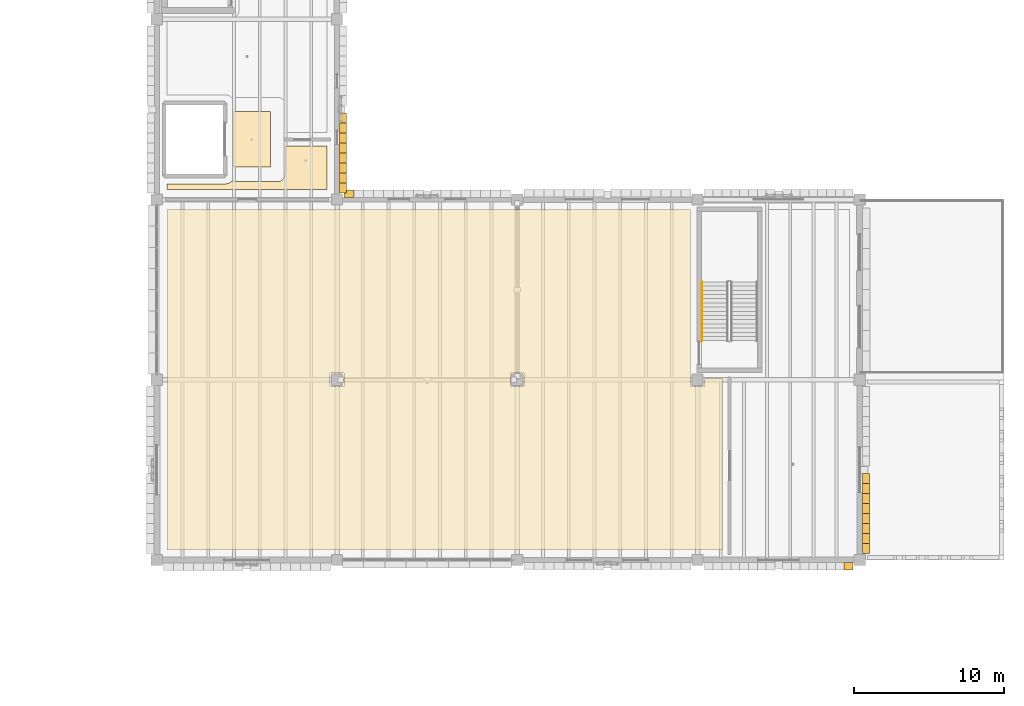
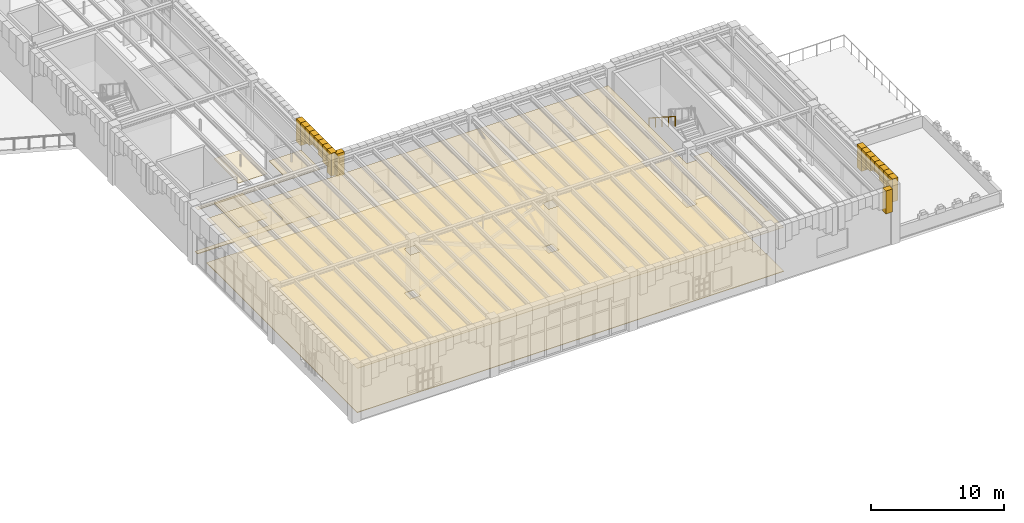
# One storey, part 93 of 103: 24 coverings, 1 railing.
"""IFC4 building model written with IfcOpenShell, lengths in metres."""

from ifc_helpers import new_model, si_unit, direction, frame, origin, origin_2d, place, context, subcontext, project, spatial, polyline, circle, outline, extrude, material, layer, layer_set, type_object, element, save


model = new_model("IFC4")

# Units and contexts
model_context = context("Model", 3, precision=1e-05, world=origin(), true_north=direction((0.0, 1.0)))
body_context = subcontext(model_context, "Body", "Model", "MODEL_VIEW")
ifc_project = project(units=[si_unit("LENGTHUNIT", "METRE"), si_unit("AREAUNIT", "SQUARE_METRE"), si_unit("VOLUMEUNIT", "CUBIC_METRE"), si_unit("PLANEANGLEUNIT", "RADIAN"), si_unit("MASSUNIT", "GRAM", prefix="KILO")], contexts=[model_context])

# Site, building, storey
site_placement = place(None, origin())
site = spatial("IfcSite", under=ifc_project, at=site_placement, CompositionType="ELEMENT")
building_placement = place(site_placement, origin())
building = spatial("IfcBuilding", under=site, at=building_placement, Name="Zlatogorsky Bluff Art Gallery", CompositionType="ELEMENT")
storey_placement = place(building_placement, origin())
storey = spatial("IfcBuildingStorey", under=building, at=storey_placement, Name="L00", CompositionType="ELEMENT", Elevation=0.0)

# Coverings
ifc_material_1 = material(Name="Perforated Gypsum Acoustic Board", Category="gypsum")
ifc_layer_1 = layer(ifc_material_1, 0.0400390625)
ifc_layer_set_1 = layer_set([ifc_layer_1], Name="Acoustic Gallery Ceiling CLG-01")
covering_type_1 = type_object("IfcCoveringType", Name="Acoustic Gallery Ceiling CLG-01", PredefinedType="CEILING", material=ifc_layer_set_1)
covering_1_placement = place(storey_placement, frame((0.0, 0.0, 4.050048828125)))
element("IfcCovering", 1, at=covering_1_placement, inside=storey, type_object=covering_type_1, Name="Lift Lobby GL-1 acoustic ceiling", PredefinedType="CEILING", context=body_context, shape_type="SweptSolid", body=[
    extrude(outline(polyline([(125.070068359375, 52.550048828125), (125.070068359375, 56.25), (127.570068359375, 56.25), (127.570068359375, 52.550048828125), (125.070068359375, 52.550048828125)])), origin(), (0.0, 0.0, 1.0), 0.0400390625),
])
covering_2_placement = place(storey_placement, frame((0.0, 0.0, 4.050048828125)))
element("IfcCovering", 2, at=covering_2_placement, inside=storey, type_object=covering_type_1, Name="East Cloister Circulation Corridor acoustic ceiling", PredefinedType="CEILING", context=body_context, shape_type="SweptSolid", body=[
    extrude(outline(polyline([(124.6201171875, 51.449951171875), (124.6640625, 51.4521484375), (124.707763671875, 51.45849609375), (124.75048828125, 51.469482421875), (124.792236328125, 51.484375), (124.83203125, 51.503173828125), (124.8701171875, 51.52587890625), (124.905517578125, 51.552001953125), (124.938232421875, 51.581787109375), (124.95458984375, 51.60009765625), (128.070068359375, 51.60009765625), (128.114013671875, 51.602294921875), (128.15771484375, 51.608642578125), (128.20068359375, 51.619384765625), (128.2421875, 51.63427734375), (128.281982421875, 51.653076171875), (128.320068359375, 51.67578125), (128.35546875, 51.7021484375), (128.38818359375, 51.731689453125), (128.41796875, 51.764404296875), (128.444091796875, 51.800048828125), (128.466796875, 51.837890625), (128.485595703125, 51.877685546875), (128.50048828125, 51.91943359375), (128.511474609375, 51.962158203125), (128.517822265625, 52.005859375), (128.52001953125, 52.050048828125), (128.52001953125, 53.949951171875), (131.330078125, 53.949951171875), (131.330078125, 51.070068359375), (120.669921875, 51.070068359375), (120.669921875, 51.449951171875), (124.6201171875, 51.449951171875)])), origin(), (0.0, 0.0, 1.0), 0.0400390625),
])
covering_3_placement = place(storey_placement, frame((0.0, 0.0, 4.050048828125)))
element("IfcCovering", 3, at=covering_3_placement, inside=storey, type_object=covering_type_1, Name="Conservation Studios and Restoration Labs acoustic ceiling", PredefinedType="CEILING", context=body_context, shape_type="SweptSolid", body=[
    extrude(outline(polyline([(155.5400390625, 38.948974609375), (155.542236328125, 38.90478515625), (155.548583984375, 38.860595703125), (155.548828125, 38.859619140625), (155.5498046875, 38.85498046875), (155.544921875, 38.85498046875), (155.544921875, 37.945068359375), (156.455078125, 37.945068359375), (156.455078125, 38.489990234375), (157.675048828125, 38.489990234375), (157.675048828125, 27.070068359375), (120.669921875, 27.070068359375), (120.669921875, 49.72998046875), (155.5400390625, 49.72998046875), (155.5400390625, 38.948974609375)]), holes=[polyline([(131.544921875, 38.85498046875), (131.544921875, 37.945068359375), (132.455078125, 37.945068359375), (132.455078125, 38.85498046875), (131.544921875, 38.85498046875)]), polyline([(143.544921875, 38.85498046875), (143.544921875, 37.945068359375), (144.455078125, 37.945068359375), (144.455078125, 38.85498046875), (143.544921875, 38.85498046875)])]), origin(), (0.0, 0.0, 1.0), 0.0400390625),
])
ifc_material_2 = material(Name="Honed Red Agra-Tone Quartzitic Sandstone", Category="masonry")
ifc_layer_2 = layer(ifc_material_2, 0.1201171875)
ifc_layer_set_2 = layer_set([ifc_layer_2], Name="Carved Sandstone Cladding CLD-02")
covering_type_2 = type_object("IfcCoveringType", Name="Carved Sandstone Cladding CLD-02", PredefinedType="CLADDING", material=ifc_layer_set_2)
covering_4_placement = place(storey_placement, frame((0.0, 0.0, 3.25244140625)))
element("IfcCovering", 4, at=covering_4_placement, inside=storey, type_object=covering_type_2, Name="Pointed Mughal arch voussoir spandrel WARCH-L00-E-10-05-A.1", PredefinedType="CLADDING", context=body_context, shape_type="SweptSolid", body=[
    extrude(outline(polyline([(132.14990234375, 50.85009765625), (132.14990234375, 51.512451171875), (132.639892578125, 51.512451171875), (132.639892578125, 50.85009765625), (132.14990234375, 50.85009765625)])), origin(), (0.0, 0.0, 1.0), 2.107666015625),
])
covering_5_placement = place(storey_placement, frame((0.0, 0.0, 3.78369140625)))
element("IfcCovering", 5, at=covering_5_placement, inside=storey, type_object=covering_type_2, Name="Pointed Mughal arch voussoir spandrel WARCH-L00-E-10-05-A.2", PredefinedType="CLADDING", context=body_context, shape_type="SweptSolid", body=[
    extrude(outline(polyline([(132.14990234375, 51.512451171875), (132.14990234375, 52.175048828125), (132.639892578125, 52.175048828125), (132.639892578125, 51.512451171875), (132.14990234375, 51.512451171875)])), origin(), (0.0, 0.0, 1.0), 1.576416015625),
])
covering_6_placement = place(storey_placement, frame((0.0, 0.0, 4.07666015625)))
element("IfcCovering", 6, at=covering_6_placement, inside=storey, type_object=covering_type_2, Name="Pointed Mughal arch voussoir spandrel WARCH-L00-E-10-05-A.3", PredefinedType="CLADDING", context=body_context, shape_type="SweptSolid", body=[
    extrude(outline(polyline([(132.14990234375, 52.175048828125), (132.14990234375, 52.83740234375), (132.639892578125, 52.83740234375), (132.639892578125, 52.175048828125), (132.14990234375, 52.175048828125)])), origin(), (0.0, 0.0, 1.0), 1.283447265625),
])
covering_7_placement = place(storey_placement, frame((0.0, 0.0, 4.4453125)))
element("IfcCovering", 7, at=covering_7_placement, inside=storey, type_object=covering_type_2, Name="Pointed Mughal arch voussoir spandrel WARCH-L00-E-10-05-A.4", PredefinedType="CLADDING", context=body_context, shape_type="SweptSolid", body=[
    extrude(outline(polyline([(132.14990234375, 52.83740234375), (132.14990234375, 53.5), (132.639892578125, 53.5), (132.639892578125, 52.83740234375), (132.14990234375, 52.83740234375)])), origin(), (0.0, 0.0, 1.0), 0.914794921875),
])
covering_8_placement = place(storey_placement, frame((0.0, 0.0, 4.4453125)))
element("IfcCovering", 8, at=covering_8_placement, inside=storey, type_object=covering_type_2, Name="Pointed Mughal arch voussoir spandrel WARCH-L00-E-10-05-A.5", PredefinedType="CLADDING", context=body_context, shape_type="SweptSolid", body=[
    extrude(outline(polyline([(132.14990234375, 53.5), (132.14990234375, 54.16259765625), (132.639892578125, 54.16259765625), (132.639892578125, 53.5), (132.14990234375, 53.5)])), origin(), (0.0, 0.0, 1.0), 0.914794921875),
])
covering_9_placement = place(storey_placement, frame((0.0, 0.0, 4.07666015625)))
element("IfcCovering", 9, at=covering_9_placement, inside=storey, type_object=covering_type_2, Name="Pointed Mughal arch voussoir spandrel WARCH-L00-E-10-05-A.6", PredefinedType="CLADDING", context=body_context, shape_type="SweptSolid", body=[
    extrude(outline(polyline([(132.14990234375, 54.16259765625), (132.14990234375, 54.824951171875), (132.639892578125, 54.824951171875), (132.639892578125, 54.16259765625), (132.14990234375, 54.16259765625)])), origin(), (0.0, 0.0, 1.0), 1.283447265625),
])
covering_10_placement = place(storey_placement, frame((0.0, 0.0, 3.78369140625)))
element("IfcCovering", 10, at=covering_10_placement, inside=storey, type_object=covering_type_2, Name="Pointed Mughal arch voussoir spandrel WARCH-L00-E-10-05-A.7", PredefinedType="CLADDING", context=body_context, shape_type="SweptSolid", body=[
    extrude(outline(polyline([(132.14990234375, 54.824951171875), (132.14990234375, 55.487548828125), (132.639892578125, 55.487548828125), (132.639892578125, 54.824951171875), (132.14990234375, 54.824951171875)])), origin(), (0.0, 0.0, 1.0), 1.576416015625),
])
covering_11_placement = place(storey_placement, frame((0.0, 0.0, 3.25244140625)))
element("IfcCovering", 11, at=covering_11_placement, inside=storey, type_object=covering_type_2, Name="Pointed Mughal arch voussoir spandrel WARCH-L00-E-10-05-A.8", PredefinedType="CLADDING", context=body_context, shape_type="SweptSolid", body=[
    extrude(outline(polyline([(132.14990234375, 55.487548828125), (132.14990234375, 56.14990234375), (132.639892578125, 56.14990234375), (132.639892578125, 55.487548828125), (132.14990234375, 55.487548828125)])), origin(), (0.0, 0.0, 1.0), 2.107666015625),
])
covering_12_placement = place(storey_placement, frame((0.0, 0.0, 3.25244140625)))
element("IfcCovering", 12, at=covering_12_placement, inside=storey, type_object=covering_type_2, Name="Pointed Mughal arch voussoir spandrel WARCH-L00-N-11-04-A.1", PredefinedType="CLADDING", context=body_context, shape_type="SweptSolid", body=[
    extrude(outline(polyline([(132.449951171875, 50.550048828125), (133.112548828125, 50.550048828125), (133.112548828125, 51.0400390625), (132.449951171875, 51.0400390625), (132.449951171875, 50.550048828125)])), origin(), (0.0, 0.0, 1.0), 2.107666015625),
])
covering_13_placement = place(storey_placement, frame((0.0, 0.0, 3.25244140625)))
element("IfcCovering", 13, at=covering_13_placement, inside=storey, type_object=covering_type_2, Name="Pointed Mughal arch voussoir spandrel WARCH-L00-S-13-03-B.8", PredefinedType="CLADDING", context=body_context, shape_type="SweptSolid", body=[
    extrude(outline(polyline([(165.762451171875, 25.739990234375), (166.35009765625, 25.739990234375), (166.35009765625, 26.22998046875), (165.762451171875, 26.22998046875), (165.762451171875, 25.739990234375)])), origin(), (0.0, 0.0, 1.0), 2.107666015625),
])
covering_14_placement = place(storey_placement, frame((0.0, 0.0, 3.25244140625)))
element("IfcCovering", 14, at=covering_14_placement, inside=storey, type_object=covering_type_2, Name="Pointed Mughal arch voussoir spandrel WARCH-L00-E-13-03-A.1", PredefinedType="CLADDING", context=body_context, shape_type="SweptSolid", body=[
    extrude(outline(polyline([(166.969970703125, 26.85009765625), (166.969970703125, 27.512451171875), (167.4599609375, 27.512451171875), (167.4599609375, 26.85009765625), (166.969970703125, 26.85009765625)])), origin(), (0.0, 0.0, 1.0), 2.107666015625),
])
covering_15_placement = place(storey_placement, frame((0.0, 0.0, 3.78369140625)))
element("IfcCovering", 15, at=covering_15_placement, inside=storey, type_object=covering_type_2, Name="Pointed Mughal arch voussoir spandrel WARCH-L00-E-13-03-A.2", PredefinedType="CLADDING", context=body_context, shape_type="SweptSolid", body=[
    extrude(outline(polyline([(166.969970703125, 27.512451171875), (166.969970703125, 28.175048828125), (167.4599609375, 28.175048828125), (167.4599609375, 27.512451171875), (166.969970703125, 27.512451171875)])), origin(), (0.0, 0.0, 1.0), 1.576416015625),
])
covering_16_placement = place(storey_placement, frame((0.0, 0.0, 4.07666015625)))
element("IfcCovering", 16, at=covering_16_placement, inside=storey, type_object=covering_type_2, Name="Pointed Mughal arch voussoir spandrel WARCH-L00-E-13-03-A.3", PredefinedType="CLADDING", context=body_context, shape_type="SweptSolid", body=[
    extrude(outline(polyline([(166.969970703125, 28.175048828125), (166.969970703125, 28.83740234375), (167.4599609375, 28.83740234375), (167.4599609375, 28.175048828125), (166.969970703125, 28.175048828125)])), origin(), (0.0, 0.0, 1.0), 1.283447265625),
])
covering_17_placement = place(storey_placement, frame((0.0, 0.0, 4.4453125)))
element("IfcCovering", 17, at=covering_17_placement, inside=storey, type_object=covering_type_2, Name="Pointed Mughal arch voussoir spandrel WARCH-L00-E-13-03-A.4", PredefinedType="CLADDING", context=body_context, shape_type="SweptSolid", body=[
    extrude(outline(polyline([(166.969970703125, 28.83740234375), (166.969970703125, 29.5), (167.4599609375, 29.5), (167.4599609375, 28.83740234375), (166.969970703125, 28.83740234375)])), origin(), (0.0, 0.0, 1.0), 0.914794921875),
])
covering_18_placement = place(storey_placement, frame((0.0, 0.0, 4.4453125)))
element("IfcCovering", 18, at=covering_18_placement, inside=storey, type_object=covering_type_2, Name="Pointed Mughal arch voussoir spandrel WARCH-L00-E-13-03-A.5", PredefinedType="CLADDING", context=body_context, shape_type="SweptSolid", body=[
    extrude(outline(polyline([(166.969970703125, 29.5), (166.969970703125, 30.16259765625), (167.4599609375, 30.16259765625), (167.4599609375, 29.5), (166.969970703125, 29.5)])), origin(), (0.0, 0.0, 1.0), 0.914794921875),
])
covering_19_placement = place(storey_placement, frame((0.0, 0.0, 4.07666015625)))
element("IfcCovering", 19, at=covering_19_placement, inside=storey, type_object=covering_type_2, Name="Pointed Mughal arch voussoir spandrel WARCH-L00-E-13-03-A.6", PredefinedType="CLADDING", context=body_context, shape_type="SweptSolid", body=[
    extrude(outline(polyline([(166.969970703125, 30.16259765625), (166.969970703125, 30.824951171875), (167.4599609375, 30.824951171875), (167.4599609375, 30.16259765625), (166.969970703125, 30.16259765625)])), origin(), (0.0, 0.0, 1.0), 1.283447265625),
])
covering_20_placement = place(storey_placement, frame((0.0, 0.0, 3.78369140625)))
element("IfcCovering", 20, at=covering_20_placement, inside=storey, type_object=covering_type_2, Name="Pointed Mughal arch voussoir spandrel WARCH-L00-E-13-03-A.7", PredefinedType="CLADDING", context=body_context, shape_type="SweptSolid", body=[
    extrude(outline(polyline([(166.969970703125, 30.824951171875), (166.969970703125, 31.487548828125), (167.4599609375, 31.487548828125), (167.4599609375, 30.824951171875), (166.969970703125, 30.824951171875)])), origin(), (0.0, 0.0, 1.0), 1.576416015625),
])
covering_21_placement = place(storey_placement, frame((0.0, 0.0, 3.25244140625)))
element("IfcCovering", 21, at=covering_21_placement, inside=storey, type_object=covering_type_2, Name="Pointed Mughal arch voussoir spandrel WARCH-L00-E-13-03-A.8", PredefinedType="CLADDING", context=body_context, shape_type="SweptSolid", body=[
    extrude(outline(polyline([(166.969970703125, 31.487548828125), (166.969970703125, 32.14990234375), (167.4599609375, 32.14990234375), (167.4599609375, 31.487548828125), (166.969970703125, 31.487548828125)])), origin(), (0.0, 0.0, 1.0), 2.107666015625),
])

# Railing
ifc_material_3 = material(Name="Brushed Stainless Steel", Category="steel")
railing_type = type_object("IfcRailingType", Name="Stair Pitch Handrail 900mm", PredefinedType="HANDRAIL", material=ifc_material_3)
railing_placement = place(storey_placement, frame((156.300048828125, 44.919921875, 2.8798828125)))
element("IfcRailing", 22, at=railing_placement, inside=storey, type_object=railing_type, Name="L00 ST-10 stair handrail 2", PredefinedType="HANDRAIL", context=body_context, shape_type="SweptSolid", body=[
    extrude(circle(Radius=0.02392578125, at=origin_2d()), frame((0.0, 0.0, 0.8759765625), z_axis=(0.0, -0.841171666519, 0.540768182723), x_axis=(1.0, 0.0, 0.0)), (0.0, 0.0, 1.0), 4.66015625),
    extrude(circle(Radius=0.02099609375, at=origin_2d()), origin(), (0.0, 0.0, 1.0), 0.851806640625),
    extrude(circle(Radius=0.02099609375, at=origin_2d()), frame((0.0, -0.97998046875, 0.6298828125)), (0.0, 0.0, 1.0), 0.851806640625),
    extrude(circle(Radius=0.02099609375, at=origin_2d()), frame((0.0, -1.9599609375, 1.260009765625)), (0.0, 0.0, 1.0), 0.851806640625),
    extrude(circle(Radius=0.02099609375, at=origin_2d()), frame((0.0, -2.93994140625, 1.89013671875)), (0.0, 0.0, 1.0), 0.851806640625),
    extrude(circle(Radius=0.02099609375, at=origin_2d()), frame((0.0, -3.919921875, 2.52001953125)), (0.0, 0.0, 1.0), 0.851806640625),
])

# Coverings
ifc_material_4 = material(Name="Polished Ural Marble Terrazzo", Category="masonry")
ifc_layer_3 = layer(ifc_material_4, 0.050048828125)
ifc_layer_set_3 = layer_set([ifc_layer_3], Name="Terrazzo Gallery Flooring FLR-01")
covering_type_3 = type_object("IfcCoveringType", Name="Terrazzo Gallery Flooring FLR-01", PredefinedType="FLOORING", material=ifc_layer_set_3)
covering_22_placement = place(storey_placement, origin())
element("IfcCovering", 23, at=covering_22_placement, inside=storey, type_object=covering_type_3, Name="Lift Lobby GL-1 terrazzo floor finish", PredefinedType="FLOORING", context=body_context, shape_type="SweptSolid", body=[
    extrude(outline(polyline([(125.070068359375, 52.550048828125), (125.070068359375, 56.25), (127.570068359375, 56.25), (127.570068359375, 52.550048828125), (125.070068359375, 52.550048828125)])), origin(), (0.0, 0.0, 1.0), 0.050048828125),
])
covering_23_placement = place(storey_placement, origin())
element("IfcCovering", 24, at=covering_23_placement, inside=storey, type_object=covering_type_3, Name="East Cloister Circulation Corridor terrazzo floor finish", PredefinedType="FLOORING", context=body_context, shape_type="SweptSolid", body=[
    extrude(outline(polyline([(124.6201171875, 51.449951171875), (124.6640625, 51.4521484375), (124.707763671875, 51.45849609375), (124.75048828125, 51.469482421875), (124.792236328125, 51.484375), (124.83203125, 51.503173828125), (124.8701171875, 51.52587890625), (124.905517578125, 51.552001953125), (124.938232421875, 51.581787109375), (124.95458984375, 51.60009765625), (128.070068359375, 51.60009765625), (128.114013671875, 51.602294921875), (128.15771484375, 51.608642578125), (128.20068359375, 51.619384765625), (128.2421875, 51.63427734375), (128.281982421875, 51.653076171875), (128.320068359375, 51.67578125), (128.35546875, 51.7021484375), (128.38818359375, 51.731689453125), (128.41796875, 51.764404296875), (128.444091796875, 51.800048828125), (128.466796875, 51.837890625), (128.485595703125, 51.877685546875), (128.50048828125, 51.91943359375), (128.511474609375, 51.962158203125), (128.517822265625, 52.005859375), (128.52001953125, 52.050048828125), (128.52001953125, 53.949951171875), (131.330078125, 53.949951171875), (131.330078125, 51.070068359375), (120.669921875, 51.070068359375), (120.669921875, 51.449951171875), (124.6201171875, 51.449951171875)])), origin(), (0.0, 0.0, 1.0), 0.050048828125),
])
covering_24_placement = place(storey_placement, origin())
element("IfcCovering", 25, at=covering_24_placement, inside=storey, type_object=covering_type_3, Name="Conservation Studios and Restoration Labs terrazzo floor finish", PredefinedType="FLOORING", context=body_context, shape_type="SweptSolid", body=[
    extrude(outline(polyline([(155.5400390625, 38.948974609375), (155.542236328125, 38.90478515625), (155.548583984375, 38.860595703125), (155.548828125, 38.859619140625), (155.5498046875, 38.85498046875), (155.544921875, 38.85498046875), (155.544921875, 37.945068359375), (156.455078125, 37.945068359375), (156.455078125, 38.489990234375), (157.675048828125, 38.489990234375), (157.675048828125, 27.070068359375), (120.669921875, 27.070068359375), (120.669921875, 49.72998046875), (155.5400390625, 49.72998046875), (155.5400390625, 38.948974609375)]), holes=[polyline([(131.544921875, 38.85498046875), (131.544921875, 37.945068359375), (132.455078125, 37.945068359375), (132.455078125, 38.85498046875), (131.544921875, 38.85498046875)]), polyline([(143.544921875, 38.85498046875), (143.544921875, 37.945068359375), (144.455078125, 37.945068359375), (144.455078125, 38.85498046875), (143.544921875, 38.85498046875)])]), origin(), (0.0, 0.0, 1.0), 0.050048828125),
])

save(model, "model.ifc")
